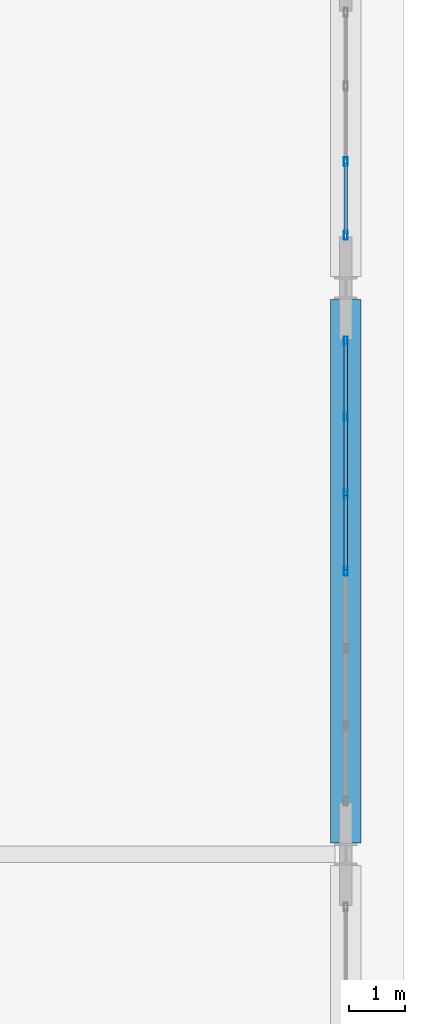
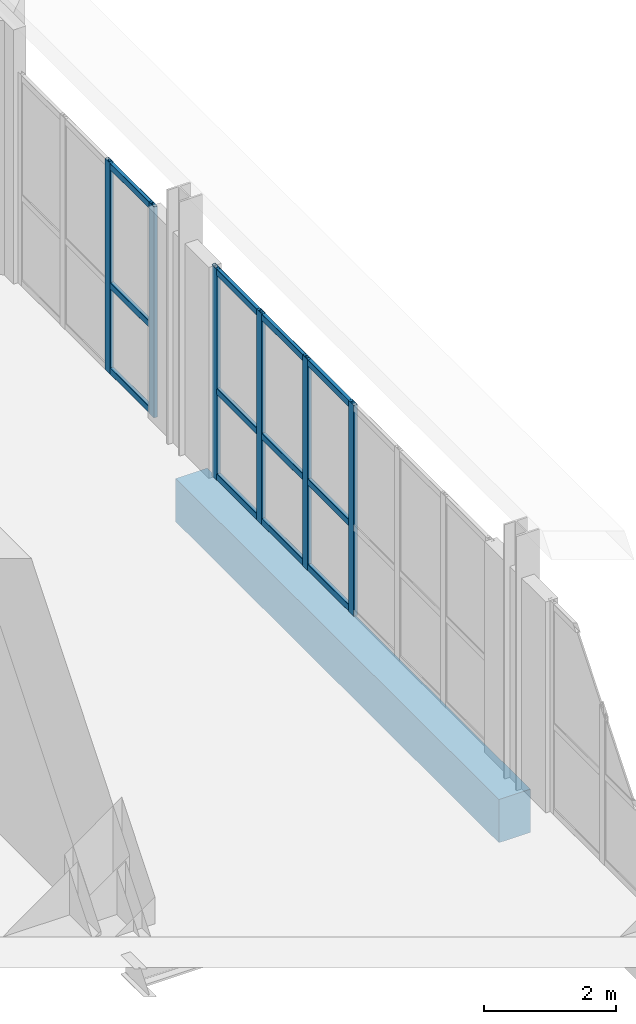
# One storey, part 25 of 36: 18 members, 1 beam, 2 elements without a shape of their own.
"""IFC4 building model written with IfcOpenShell, lengths in metres."""

from ifc_helpers import new_model, si_unit, direction, frame, origin, origin_2d, place, context, subcontext, project, spatial, rectangle, hollow_rectangle, extrude, material, layer, layer_set, material_profile, profile_set, type_object, element, aggregate, save


model = new_model("IFC4")

# Units and contexts
model_context = context("Model", 3, precision=1e-05, world=origin(), true_north=direction((0.0, 1.0)))
body_context = subcontext(model_context, "Body", "Model", "MODEL_VIEW")
ifc_project = project(units=[si_unit("LENGTHUNIT", "METRE"), si_unit("AREAUNIT", "SQUARE_METRE"), si_unit("VOLUMEUNIT", "CUBIC_METRE"), si_unit("PLANEANGLEUNIT", "RADIAN"), si_unit("MASSUNIT", "GRAM", prefix="KILO")], contexts=[model_context])

# Site, building, storey
site_placement = place(None, origin())
site = spatial("IfcSite", under=ifc_project, at=site_placement, CompositionType="ELEMENT")
building_placement = place(site_placement, origin())
building = spatial("IfcBuilding", under=site, at=building_placement, Name="Kaelvorn Grand Hotel", CompositionType="ELEMENT")
storey_placement = place(building_placement, frame((0.0, 0.0, 305.699951171875)))
storey = spatial("IfcBuildingStorey", under=building, at=storey_placement, Name="L74", CompositionType="ELEMENT", Elevation=305.699951171875)

# Beam
ifc_material_1 = material(Name="Concrete C50/60", Category="concrete")
ifc_material_profile_1 = material_profile(ifc_material_1, rectangle(XDim=0.550048828125, YDim=0.800048828125, at=origin_2d()), Name="RC SPANDREL 550x800")
ifc_profile_set_1 = profile_set([ifc_material_profile_1], Name="Concrete C50/60")
beam_type = type_object("IfcBeamType", Name="BM-SP-550x800-C50", PredefinedType="SPANDREL", material=ifc_profile_set_1)
beam_placement = place(storey_placement, frame((75.0, 29.60498046875, -0.780029296875), z_axis=(0.0, 1.0, 0.0), x_axis=(-1.0, 0.0, 0.0)))
element("IfcBeam", 1, at=beam_placement, inside=storey, type_object=beam_type, Name="L74 East Perimeter Spandrel 03", PredefinedType="SPANDREL", context=body_context, shape_type="SweptSolid", body=[
    extrude(rectangle(XDim=0.550048828125, YDim=0.800048828125, at=origin_2d()), origin(), (0.0, 0.0, 1.0), 9.7900390625),
])

# Curtain wall, members
ifc_material_2 = material(Name="Anodised Aluminium", Category="aluminium")
ifc_layer = layer(ifc_material_2, 0.159912109375)
ifc_layer_set = layer_set([ifc_layer], Name="Anodised Aluminium")
curtain_wall_type = type_object("IfcCurtainWallType", Name="CW-SYS6", PredefinedType="NOTDEFINED", material=ifc_layer_set)
curtain_wall_1_placement = place(storey_placement, origin())
curtain_wall_1 = element("IfcCurtainWall", 2, at=curtain_wall_1_placement, inside=storey, type_object=curtain_wall_type, Name="L74 Unitised Curtain Wall CW6 (CW-L74-E-04)", PredefinedType="NOTDEFINED")
ifc_material_profile_2 = material_profile(ifc_material_2, hollow_rectangle(XDim=0.06494140625, YDim=0.159912109375, WallThickness=0.00341796875, InnerFilletRadius=0.00341796875, OuterFilletRadius=0.007080078125, at=origin_2d()), Name="ALU MULL 65x160")
ifc_profile_set_2 = profile_set([ifc_material_profile_2], Name="Anodised Aluminium")
member_type_1 = type_object("IfcMemberType", Name="CW-SYS6-MULL", PredefinedType="MULLION", material=ifc_profile_set_2)
member_1_placement = place(storey_placement, frame((75.0, 34.5, 0.0), z_axis=(0.0, 0.0, 1.0), x_axis=(-1.0, 0.0, 0.0)))
member_1 = element("IfcMember", 3, at=member_1_placement, type_object=member_type_1, Name="CW6 mullion 4", PredefinedType="MULLION", context=body_context, shape_type="SweptSolid", body=[
    extrude(hollow_rectangle(XDim=0.06494140625, YDim=0.159912109375, WallThickness=0.00341796875, InnerFilletRadius=0.00341796875, OuterFilletRadius=0.007080078125, at=origin_2d()), origin(), (0.0, 0.0, 1.0), 3.900146484375),
])
member_2_placement = place(storey_placement, frame((75.0, 35.893310546875, 0.0), z_axis=(0.0, 0.0, 1.0), x_axis=(-1.0, 0.0, 0.0)))
member_2 = element("IfcMember", 4, at=member_2_placement, type_object=member_type_1, Name="CW6 mullion 5", PredefinedType="MULLION", context=body_context, shape_type="SweptSolid", body=[
    extrude(hollow_rectangle(XDim=0.06494140625, YDim=0.159912109375, WallThickness=0.00341796875, InnerFilletRadius=0.00341796875, OuterFilletRadius=0.007080078125, at=origin_2d()), origin(), (0.0, 0.0, 1.0), 3.900146484375),
])
member_3_placement = place(storey_placement, frame((75.0, 37.28662109375, 0.0), z_axis=(0.0, 0.0, 1.0), x_axis=(-1.0, 0.0, 0.0)))
member_3 = element("IfcMember", 5, at=member_3_placement, type_object=member_type_1, Name="CW6 mullion 6", PredefinedType="MULLION", context=body_context, shape_type="SweptSolid", body=[
    extrude(hollow_rectangle(XDim=0.06494140625, YDim=0.159912109375, WallThickness=0.00341796875, InnerFilletRadius=0.00341796875, OuterFilletRadius=0.007080078125, at=origin_2d()), origin(), (0.0, 0.0, 1.0), 3.900146484375),
])
member_4_placement = place(storey_placement, frame((75.0, 38.6474609375, 0.0), z_axis=(0.0, 0.0, 1.0), x_axis=(-1.0, 0.0, 0.0)))
member_4 = element("IfcMember", 6, at=member_4_placement, type_object=member_type_1, Name="CW6 mullion 7", PredefinedType="MULLION", context=body_context, shape_type="SweptSolid", body=[
    extrude(hollow_rectangle(XDim=0.06494140625, YDim=0.159912109375, WallThickness=0.00341796875, InnerFilletRadius=0.00341796875, OuterFilletRadius=0.007080078125, at=origin_2d()), origin(), (0.0, 0.0, 1.0), 3.900146484375),
])

curtain_wall_2_placement = place(storey_placement, origin())
curtain_wall_2 = element("IfcCurtainWall", 7, at=curtain_wall_2_placement, inside=storey, type_object=curtain_wall_type, Name="L74 Unitised Curtain Wall CW6 (CW-L74-E-05)", PredefinedType="NOTDEFINED")
member_5_placement = place(storey_placement, frame((75.0, 40.552490234375, 0.0), z_axis=(0.0, 0.0, 1.0), x_axis=(-1.0, 0.0, 0.0)))
member_5 = element("IfcMember", 8, at=member_5_placement, type_object=member_type_1, Name="CW6 mullion 1", PredefinedType="MULLION", context=body_context, shape_type="SweptSolid", body=[
    extrude(hollow_rectangle(XDim=0.06494140625, YDim=0.159912109375, WallThickness=0.00341796875, InnerFilletRadius=0.00341796875, OuterFilletRadius=0.007080078125, at=origin_2d()), origin(), (0.0, 0.0, 1.0), 3.900146484375),
])
member_6_placement = place(storey_placement, frame((75.0, 41.8798828125, 0.0), z_axis=(0.0, 0.0, 1.0), x_axis=(-1.0, 0.0, 0.0)))
member_6 = element("IfcMember", 9, at=member_6_placement, type_object=member_type_1, Name="CW6 mullion 2", PredefinedType="MULLION", context=body_context, shape_type="SweptSolid", body=[
    extrude(hollow_rectangle(XDim=0.06494140625, YDim=0.159912109375, WallThickness=0.00341796875, InnerFilletRadius=0.00341796875, OuterFilletRadius=0.007080078125, at=origin_2d()), origin(), (0.0, 0.0, 1.0), 3.900146484375),
])

# Member
ifc_material_profile_3 = material_profile(ifc_material_2, hollow_rectangle(XDim=0.06494140625, YDim=0.1201171875, WallThickness=0.00341796875, InnerFilletRadius=0.00341796875, OuterFilletRadius=0.007080078125, at=origin_2d()), Name="ALU TRAN 65x120")
ifc_profile_set_3 = profile_set([ifc_material_profile_3], Name="Anodised Aluminium")
member_type_2 = type_object("IfcMemberType", Name="CW-SYS6-TRAN", PredefinedType="NOTDEFINED", material=ifc_profile_set_3)
member_7_placement = place(storey_placement, frame((75.0, 34.532470703125, 0.06005859375), z_axis=(0.0, 1.0, 0.0), x_axis=(-1.0, 0.0, 0.0)))
member_7 = element("IfcMember", 10, at=member_7_placement, type_object=member_type_2, Name="CW6 transom 4.1", ObjectType="TRANSOM", PredefinedType="USERDEFINED", context=body_context, shape_type="SweptSolid", body=[
    extrude(hollow_rectangle(XDim=0.06494140625, YDim=0.1201171875, WallThickness=0.00341796875, InnerFilletRadius=0.00341796875, OuterFilletRadius=0.007080078125, at=origin_2d()), origin(), (0.0, 0.0, 1.0), 1.328369140625),
])

member_8_placement = place(storey_placement, frame((75.0, 34.532470703125, 1.637939453125), z_axis=(0.0, 1.0, 0.0), x_axis=(-1.0, 0.0, 0.0)))
member_8 = element("IfcMember", 11, at=member_8_placement, type_object=member_type_2, Name="CW6 transom 4.2", ObjectType="TRANSOM", PredefinedType="USERDEFINED", context=body_context, shape_type="SweptSolid", body=[
    extrude(hollow_rectangle(XDim=0.06494140625, YDim=0.1201171875, WallThickness=0.00341796875, InnerFilletRadius=0.00341796875, OuterFilletRadius=0.007080078125, at=origin_2d()), origin(), (0.0, 0.0, 1.0), 1.328369140625),
])

member_9_placement = place(storey_placement, frame((75.0, 34.532470703125, 3.840087890625), z_axis=(0.0, 1.0, 0.0), x_axis=(-1.0, 0.0, 0.0)))
member_9 = element("IfcMember", 12, at=member_9_placement, type_object=member_type_2, Name="CW6 transom 4.3", ObjectType="TRANSOM", PredefinedType="USERDEFINED", context=body_context, shape_type="SweptSolid", body=[
    extrude(hollow_rectangle(XDim=0.06494140625, YDim=0.1201171875, WallThickness=0.00341796875, InnerFilletRadius=0.00341796875, OuterFilletRadius=0.007080078125, at=origin_2d()), origin(), (0.0, 0.0, 1.0), 1.328369140625),
])

member_10_placement = place(storey_placement, frame((75.0, 35.92578125, 0.06005859375), z_axis=(0.0, 1.0, 0.0), x_axis=(-1.0, 0.0, 0.0)))
member_10 = element("IfcMember", 13, at=member_10_placement, type_object=member_type_2, Name="CW6 transom 5.1", ObjectType="TRANSOM", PredefinedType="USERDEFINED", context=body_context, shape_type="SweptSolid", body=[
    extrude(hollow_rectangle(XDim=0.06494140625, YDim=0.1201171875, WallThickness=0.00341796875, InnerFilletRadius=0.00341796875, OuterFilletRadius=0.007080078125, at=origin_2d()), origin(), (0.0, 0.0, 1.0), 1.328369140625),
])

member_11_placement = place(storey_placement, frame((75.0, 35.92578125, 1.637939453125), z_axis=(0.0, 1.0, 0.0), x_axis=(-1.0, 0.0, 0.0)))
member_11 = element("IfcMember", 14, at=member_11_placement, type_object=member_type_2, Name="CW6 transom 5.2", ObjectType="TRANSOM", PredefinedType="USERDEFINED", context=body_context, shape_type="SweptSolid", body=[
    extrude(hollow_rectangle(XDim=0.06494140625, YDim=0.1201171875, WallThickness=0.00341796875, InnerFilletRadius=0.00341796875, OuterFilletRadius=0.007080078125, at=origin_2d()), origin(), (0.0, 0.0, 1.0), 1.328369140625),
])

member_12_placement = place(storey_placement, frame((75.0, 35.92578125, 3.840087890625), z_axis=(0.0, 1.0, 0.0), x_axis=(-1.0, 0.0, 0.0)))
member_12 = element("IfcMember", 15, at=member_12_placement, type_object=member_type_2, Name="CW6 transom 5.3", ObjectType="TRANSOM", PredefinedType="USERDEFINED", context=body_context, shape_type="SweptSolid", body=[
    extrude(hollow_rectangle(XDim=0.06494140625, YDim=0.1201171875, WallThickness=0.00341796875, InnerFilletRadius=0.00341796875, OuterFilletRadius=0.007080078125, at=origin_2d()), origin(), (0.0, 0.0, 1.0), 1.328369140625),
])

member_13_placement = place(storey_placement, frame((75.0, 37.319091796875, 0.06005859375), z_axis=(0.0, 1.0, 0.0), x_axis=(-1.0, 0.0, 0.0)))
member_13 = element("IfcMember", 16, at=member_13_placement, type_object=member_type_2, Name="CW6 transom 6.1", ObjectType="TRANSOM", PredefinedType="USERDEFINED", context=body_context, shape_type="SweptSolid", body=[
    extrude(hollow_rectangle(XDim=0.06494140625, YDim=0.1201171875, WallThickness=0.00341796875, InnerFilletRadius=0.00341796875, OuterFilletRadius=0.007080078125, at=origin_2d()), origin(), (0.0, 0.0, 1.0), 1.2958984375),
])

member_14_placement = place(storey_placement, frame((75.0, 37.319091796875, 1.637939453125), z_axis=(0.0, 1.0, 0.0), x_axis=(-1.0, 0.0, 0.0)))
member_14 = element("IfcMember", 17, at=member_14_placement, type_object=member_type_2, Name="CW6 transom 6.2", ObjectType="TRANSOM", PredefinedType="USERDEFINED", context=body_context, shape_type="SweptSolid", body=[
    extrude(hollow_rectangle(XDim=0.06494140625, YDim=0.1201171875, WallThickness=0.00341796875, InnerFilletRadius=0.00341796875, OuterFilletRadius=0.007080078125, at=origin_2d()), origin(), (0.0, 0.0, 1.0), 1.2958984375),
])

member_15_placement = place(storey_placement, frame((75.0, 37.319091796875, 3.840087890625), z_axis=(0.0, 1.0, 0.0), x_axis=(-1.0, 0.0, 0.0)))
member_15 = element("IfcMember", 18, at=member_15_placement, type_object=member_type_2, Name="CW6 transom 6.3", ObjectType="TRANSOM", PredefinedType="USERDEFINED", context=body_context, shape_type="SweptSolid", body=[
    extrude(hollow_rectangle(XDim=0.06494140625, YDim=0.1201171875, WallThickness=0.00341796875, InnerFilletRadius=0.00341796875, OuterFilletRadius=0.007080078125, at=origin_2d()), origin(), (0.0, 0.0, 1.0), 1.2958984375),
])

aggregate(curtain_wall_1, [member_1, member_2, member_3, member_4, member_7, member_8, member_9, member_10, member_11, member_12, member_13, member_14, member_15])

member_16_placement = place(storey_placement, frame((75.0, 40.5849609375, 0.06005859375), z_axis=(0.0, 1.0, 0.0), x_axis=(-1.0, 0.0, 0.0)))
member_16 = element("IfcMember", 19, at=member_16_placement, type_object=member_type_2, Name="CW6 transom 1.1", ObjectType="TRANSOM", PredefinedType="USERDEFINED", context=body_context, shape_type="SweptSolid", body=[
    extrude(hollow_rectangle(XDim=0.06494140625, YDim=0.1201171875, WallThickness=0.00341796875, InnerFilletRadius=0.00341796875, OuterFilletRadius=0.007080078125, at=origin_2d()), origin(), (0.0, 0.0, 1.0), 1.262451171875),
])

member_17_placement = place(storey_placement, frame((75.0, 40.5849609375, 1.637939453125), z_axis=(0.0, 1.0, 0.0), x_axis=(-1.0, 0.0, 0.0)))
member_17 = element("IfcMember", 20, at=member_17_placement, type_object=member_type_2, Name="CW6 transom 1.2", ObjectType="TRANSOM", PredefinedType="USERDEFINED", context=body_context, shape_type="SweptSolid", body=[
    extrude(hollow_rectangle(XDim=0.06494140625, YDim=0.1201171875, WallThickness=0.00341796875, InnerFilletRadius=0.00341796875, OuterFilletRadius=0.007080078125, at=origin_2d()), origin(), (0.0, 0.0, 1.0), 1.262451171875),
])

member_18_placement = place(storey_placement, frame((75.0, 40.5849609375, 3.840087890625), z_axis=(0.0, 1.0, 0.0), x_axis=(-1.0, 0.0, 0.0)))
member_18 = element("IfcMember", 21, at=member_18_placement, type_object=member_type_2, Name="CW6 transom 1.3", ObjectType="TRANSOM", PredefinedType="USERDEFINED", context=body_context, shape_type="SweptSolid", body=[
    extrude(hollow_rectangle(XDim=0.06494140625, YDim=0.1201171875, WallThickness=0.00341796875, InnerFilletRadius=0.00341796875, OuterFilletRadius=0.007080078125, at=origin_2d()), origin(), (0.0, 0.0, 1.0), 1.262451171875),
])

aggregate(curtain_wall_2, [member_5, member_6, member_16, member_17, member_18])

save(model, "model.ifc")
